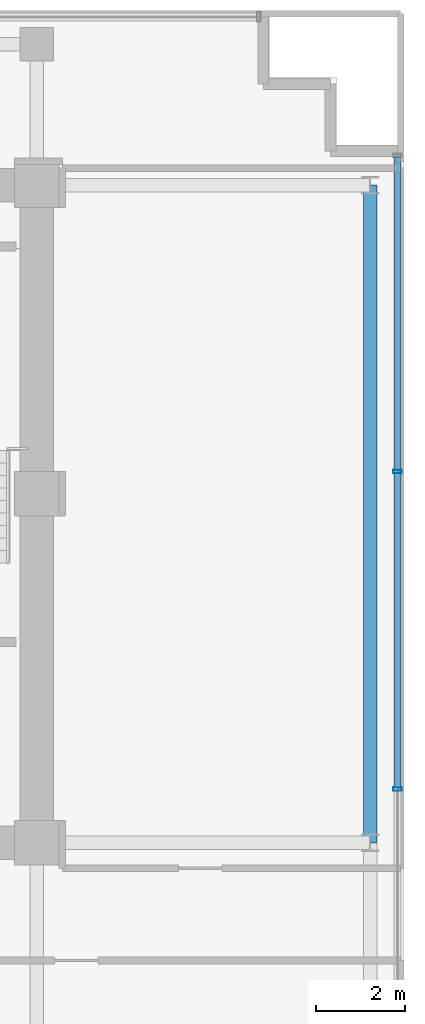
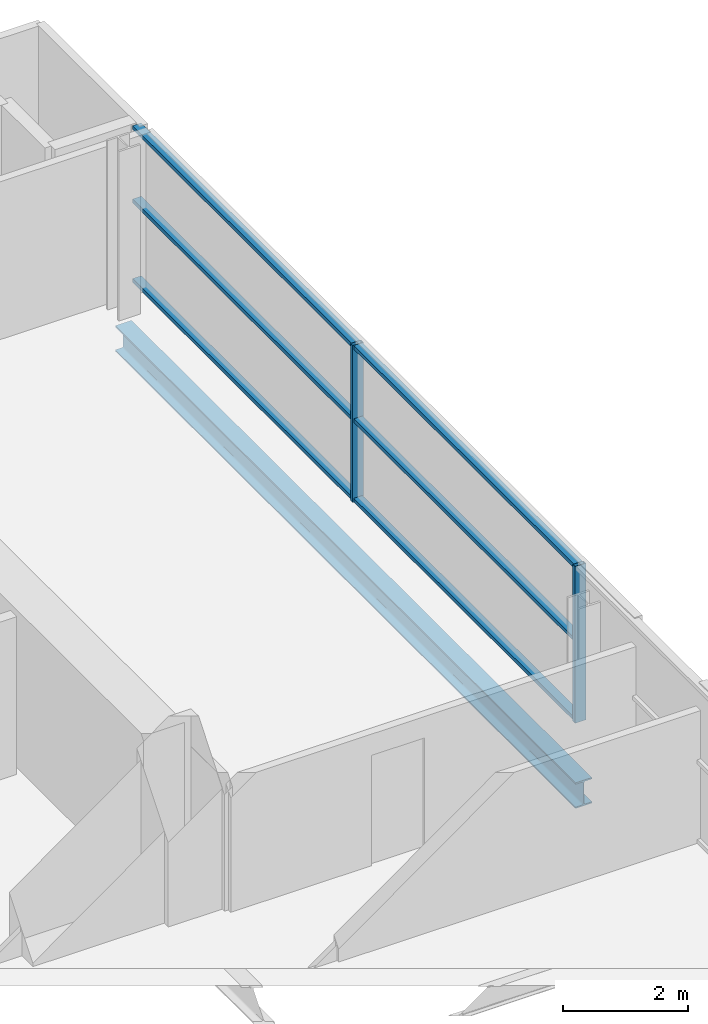
# One storey, part 8 of 21: 8 members, 1 beam, 1 element without a shape of its own.
"""IFC4 building model written with IfcOpenShell, lengths in metres."""

from ifc_helpers import new_model, si_unit, direction, frame, origin, origin_2d, place, context, subcontext, project, spatial, hollow_rectangle, i_section, extrude, source, transform, mapped, material, layer, layer_set, material_profile, profile_set, type_object, element, aggregate, save


model = new_model("IFC4")

# Units and contexts
model_context = context("Model", 3, precision=1e-05, world=origin(), true_north=direction((0.0, 1.0)))
body_context = subcontext(model_context, "Body", "Model", "MODEL_VIEW")
ifc_project = project(units=[si_unit("LENGTHUNIT", "METRE"), si_unit("AREAUNIT", "SQUARE_METRE"), si_unit("VOLUMEUNIT", "CUBIC_METRE"), si_unit("PLANEANGLEUNIT", "RADIAN"), si_unit("MASSUNIT", "GRAM", prefix="KILO")], contexts=[model_context])

# Site, building, storey
site_placement = place(None, origin())
site = spatial("IfcSite", under=ifc_project, at=site_placement, CompositionType="ELEMENT")
building_placement = place(site_placement, origin())
building = spatial("IfcBuilding", under=site, at=building_placement, Name="Zarnakvel Exchange Tower", CompositionType="ELEMENT")
storey_placement = place(building_placement, frame((0.0, 0.0, 166.0)))
storey = spatial("IfcBuildingStorey", under=building, at=storey_placement, Name="L46", CompositionType="ELEMENT", Elevation=166.0)

# Beam
ifc_material_1 = material(Name="Steel S355", Category="steel")
ifc_material_profile_1 = material_profile(ifc_material_1, i_section(OverallWidth=0.300048828125, OverallDepth=0.5, WebThickness=0.014404296875, FlangeThickness=0.028076171875, FilletRadius=0.027099609375, at=origin_2d()))
ifc_profile_set_1 = profile_set([ifc_material_profile_1], Name="Steel S355")
beam_type = type_object("IfcBeamType", Name="SP-02", PredefinedType="SPANDREL", material=ifc_profile_set_1)
beam_placement = place(storey_placement, frame((21.85009765625, -1.199951171875, -0.47509765625), z_axis=(0.0, 1.0, 0.0), x_axis=(-1.0, 0.0, 0.0)))
element("IfcBeam", 1, at=beam_placement, inside=storey, type_object=beam_type, Name="L46 Tower N-S Frame Beam", PredefinedType="SPANDREL", context=body_context, shape_type="SweptSolid", body=[
    extrude(i_section(OverallWidth=0.300048828125, OverallDepth=0.5, WebThickness=0.014404296875, FlangeThickness=0.028076171875, FilletRadius=0.027099609375, at=origin_2d()), origin(), (0.0, 0.0, 1.0), 14.699951171875),
])

# Curtain wall, members
ifc_material_2 = material(Name="Architectural Bronze Anodised Aluminium", Category="aluminium")
ifc_layer = layer(ifc_material_2, 0.199951171875)
ifc_layer_set = layer_set([ifc_layer], Name="Architectural Bronze Anodised Aluminium")
curtain_wall_type = type_object("IfcCurtainWallType", Name="CW-04", PredefinedType="NOTDEFINED", material=ifc_layer_set)
curtain_wall_placement = place(storey_placement, origin())
curtain_wall = element("IfcCurtainWall", 2, at=curtain_wall_placement, inside=storey, type_object=curtain_wall_type, Name="L46 Curtain Wall CW-L46-E1 (CW-04)", PredefinedType="NOTDEFINED")
ifc_material_profile_2 = material_profile(ifc_material_2, hollow_rectangle(XDim=0.199951171875, YDim=0.074951171875, WallThickness=0.0048828125, at=origin_2d()))
ifc_profile_set_2 = profile_set([ifc_material_profile_2], Name="Architectural Bronze Anodised Aluminium")
member_type_1 = type_object("IfcMemberType", Name="CWM-04", PredefinedType="MULLION", material=ifc_profile_set_2)
shared_shape_1 = source(origin(), body_context, "Body", "SweptSolid", [
    extrude(hollow_rectangle(XDim=0.199951171875, YDim=0.074951171875, WallThickness=0.0048828125, at=origin_2d()), origin(), (0.0, 0.0, 1.0), 3.054931640625),
])
member_1_placement = place(storey_placement, frame((22.4599609375, 0.0, 0.0), z_axis=(0.0, 0.0, 1.0), x_axis=(-1.0, 0.0, 0.0)))
member_1 = element("IfcMember", 3, at=member_1_placement, type_object=member_type_1, Name="CW-04 mullion 3", PredefinedType="MULLION", context=body_context, shape_type="MappedRepresentation", body=[
    mapped(shared_shape_1, transform((0.0, 0.0, 0.0), x_axis=(1.0, 0.0, 0.0), y_axis=(0.0, 1.0, 0.0), z_axis=(0.0, 0.0, 1.0), scale=1.0)),
])
member_2_placement = place(storey_placement, frame((22.4599609375, 7.10009765625, 0.0), z_axis=(0.0, 0.0, 1.0), x_axis=(-1.0, 0.0, 0.0)))
member_2 = element("IfcMember", 4, at=member_2_placement, type_object=member_type_1, Name="CW-04 mullion 4", PredefinedType="MULLION", context=body_context, shape_type="MappedRepresentation", body=[
    mapped(shared_shape_1, transform((0.0, 0.0, 0.0), x_axis=(1.0, 0.0, 0.0), y_axis=(0.0, 1.0, 0.0), z_axis=(0.0, 0.0, 1.0), scale=1.0)),
])
ifc_material_profile_3 = material_profile(ifc_material_2, hollow_rectangle(XDim=0.159912109375, YDim=0.074951171875, WallThickness=0.00390625, at=origin_2d()))
ifc_profile_set_3 = profile_set([ifc_material_profile_3], Name="Architectural Bronze Anodised Aluminium")
member_type_2 = type_object("IfcMemberType", Name="CWT-04", PredefinedType="USERDEFINED", material=ifc_profile_set_3)
shared_shape_2 = source(origin(), body_context, "Body", "SweptSolid", [
    extrude(hollow_rectangle(XDim=0.159912109375, YDim=0.074951171875, WallThickness=0.00390625, at=origin_2d()), origin(), (0.0, 0.0, 1.0), 6.987548828125),
])
member_3_placement = place(storey_placement, frame((22.4599609375, 7.137451171875, 0.03759765625), z_axis=(0.0, 1.0, 0.0), x_axis=(-1.0, 0.0, 0.0)))
member_3 = element("IfcMember", 5, at=member_3_placement, type_object=member_type_2, Name="CW-04 transom 4.1", ObjectType="TRANSOM", PredefinedType="USERDEFINED", context=body_context, shape_type="MappedRepresentation", body=[
    mapped(shared_shape_2, transform((0.0, 0.0, 0.0), x_axis=(1.0, 0.0, 0.0), y_axis=(0.0, 1.0, 0.0), z_axis=(0.0, 0.0, 1.0), scale=1.0)),
])
member_4_placement = place(storey_placement, frame((22.4599609375, 7.137451171875, 1.588623046875), z_axis=(0.0, 1.0, 0.0), x_axis=(-1.0, 0.0, 0.0)))
member_4 = element("IfcMember", 6, at=member_4_placement, type_object=member_type_2, Name="CW-04 transom 4.2", ObjectType="TRANSOM", PredefinedType="USERDEFINED", context=body_context, shape_type="MappedRepresentation", body=[
    mapped(shared_shape_2, transform((0.0, 0.0, 0.0), x_axis=(1.0, 0.0, 0.0), y_axis=(0.0, 1.0, 0.0), z_axis=(0.0, 0.0, 1.0), scale=1.0)),
])
member_5_placement = place(storey_placement, frame((22.4599609375, 7.137451171875, 3.017578125), z_axis=(0.0, 1.0, 0.0), x_axis=(-1.0, 0.0, 0.0)))
member_5 = element("IfcMember", 7, at=member_5_placement, type_object=member_type_2, Name="CW-04 transom 4.3", ObjectType="TRANSOM", PredefinedType="USERDEFINED", context=body_context, shape_type="MappedRepresentation", body=[
    mapped(shared_shape_2, transform((0.0, 0.0, 0.0), x_axis=(1.0, 0.0, 0.0), y_axis=(0.0, 1.0, 0.0), z_axis=(0.0, 0.0, 1.0), scale=1.0)),
])
shared_shape_3 = source(origin(), body_context, "Body", "SweptSolid", [
    extrude(hollow_rectangle(XDim=0.159912109375, YDim=0.074951171875, WallThickness=0.00390625, at=origin_2d()), origin(), (0.0, 0.0, 1.0), 7.02490234375),
])
member_6_placement = place(storey_placement, frame((22.4599609375, 0.03759765625, 0.03759765625), z_axis=(0.0, 1.0, 0.0), x_axis=(-1.0, 0.0, 0.0)))
member_6 = element("IfcMember", 8, at=member_6_placement, type_object=member_type_2, Name="CW-04 transom 3.1", ObjectType="TRANSOM", PredefinedType="USERDEFINED", context=body_context, shape_type="MappedRepresentation", body=[
    mapped(shared_shape_3, transform((0.0, 0.0, 0.0), x_axis=(1.0, 0.0, 0.0), y_axis=(0.0, 1.0, 0.0), z_axis=(0.0, 0.0, 1.0), scale=1.0)),
])
member_7_placement = place(storey_placement, frame((22.4599609375, 0.03759765625, 1.588623046875), z_axis=(0.0, 1.0, 0.0), x_axis=(-1.0, 0.0, 0.0)))
member_7 = element("IfcMember", 9, at=member_7_placement, type_object=member_type_2, Name="CW-04 transom 3.2", ObjectType="TRANSOM", PredefinedType="USERDEFINED", context=body_context, shape_type="MappedRepresentation", body=[
    mapped(shared_shape_3, transform((0.0, 0.0, 0.0), x_axis=(1.0, 0.0, 0.0), y_axis=(0.0, 1.0, 0.0), z_axis=(0.0, 0.0, 1.0), scale=1.0)),
])
member_8_placement = place(storey_placement, frame((22.4599609375, 0.03759765625, 3.017578125), z_axis=(0.0, 1.0, 0.0), x_axis=(-1.0, 0.0, 0.0)))
member_8 = element("IfcMember", 10, at=member_8_placement, type_object=member_type_2, Name="CW-04 transom 3.3", ObjectType="TRANSOM", PredefinedType="USERDEFINED", context=body_context, shape_type="MappedRepresentation", body=[
    mapped(shared_shape_3, transform((0.0, 0.0, 0.0), x_axis=(1.0, 0.0, 0.0), y_axis=(0.0, 1.0, 0.0), z_axis=(0.0, 0.0, 1.0), scale=1.0)),
])
aggregate(curtain_wall, [member_1, member_2, member_6, member_7, member_8, member_3, member_4, member_5])

save(model, "model.ifc")
